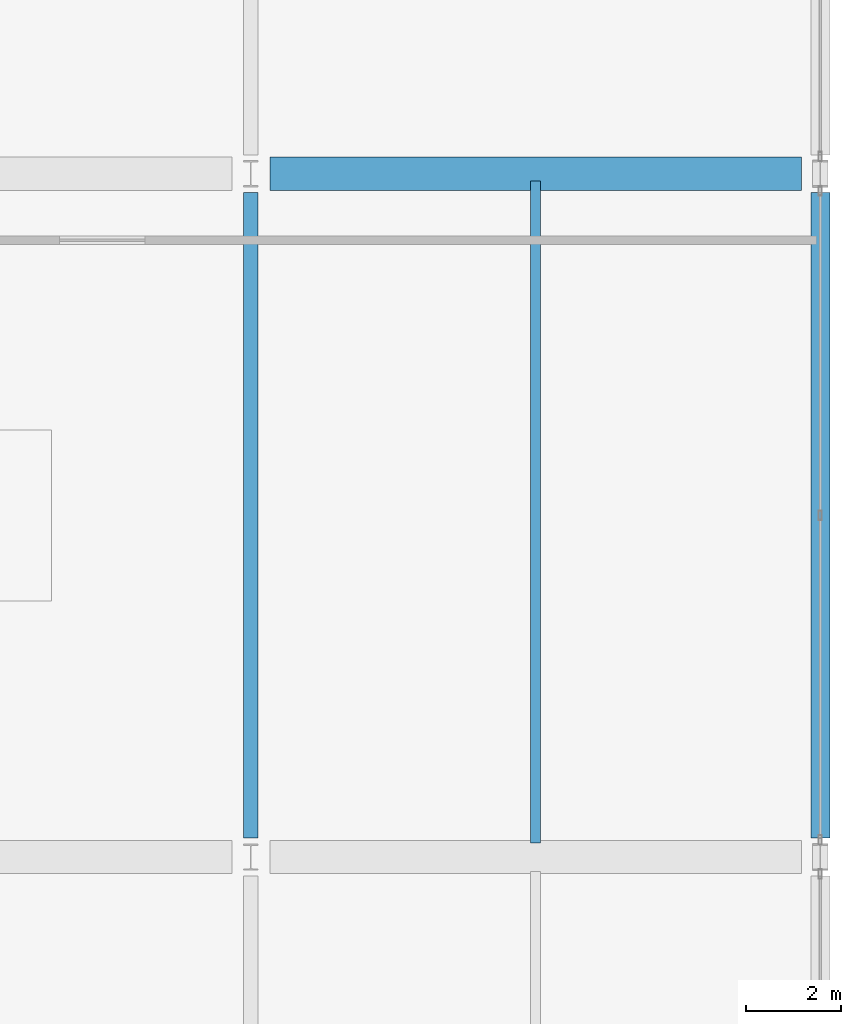
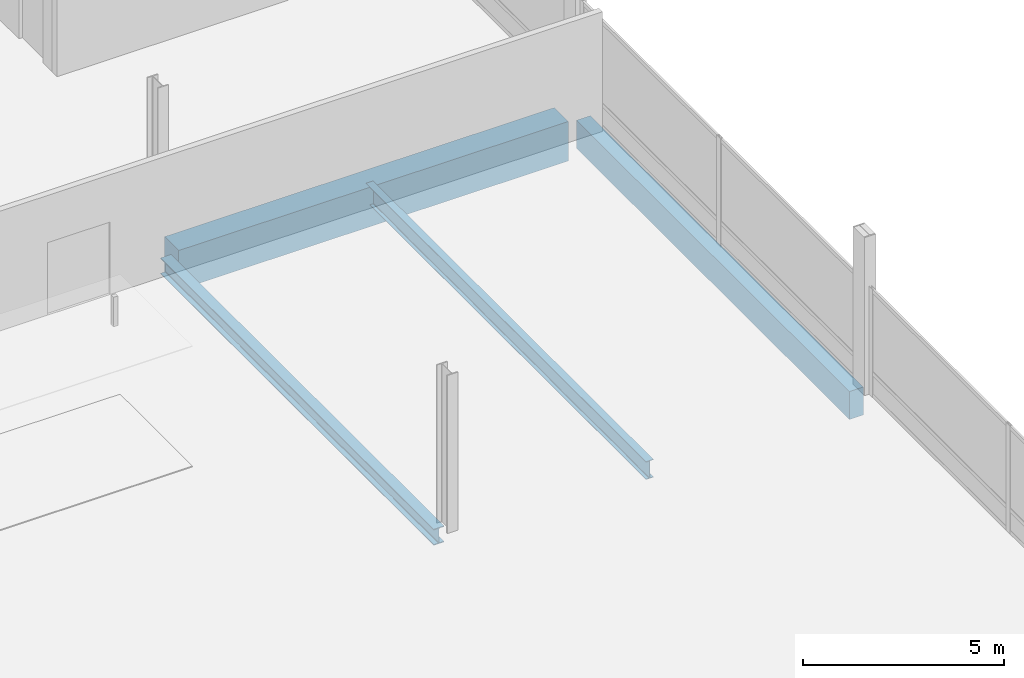
# One storey, part 116 of 220: 4 beams.
"""IFC4 building model written with IfcOpenShell, lengths in metres."""

from ifc_helpers import new_model, si_unit, direction, frame, origin, origin_2d, place, context, subcontext, project, spatial, rectangle, i_section, extrude, material, material_profile, profile_set, type_object, element, save


model = new_model("IFC4")

# Units and contexts
model_context = context("Model", 3, precision=1e-05, world=origin(), true_north=direction((0.0, 1.0)))
body_context = subcontext(model_context, "Body", "Model", "MODEL_VIEW")
ifc_project = project(units=[si_unit("LENGTHUNIT", "METRE"), si_unit("AREAUNIT", "SQUARE_METRE"), si_unit("VOLUMEUNIT", "CUBIC_METRE"), si_unit("PLANEANGLEUNIT", "RADIAN"), si_unit("MASSUNIT", "GRAM", prefix="KILO")], contexts=[model_context])

# Site, building, storey
site_placement = place(None, origin())
site = spatial("IfcSite", under=ifc_project, at=site_placement, CompositionType="ELEMENT")
building_placement = place(site_placement, origin())
building = spatial("IfcBuilding", under=site, at=building_placement, Name="Cendralis Lancet Convention Centre", CompositionType="ELEMENT")
storey_placement = place(building_placement, frame((0.0, 0.0, 5.39990234375)))
storey = spatial("IfcBuildingStorey", under=building, at=storey_placement, Name="L01", CompositionType="ELEMENT", Elevation=5.39990234375)

# Beams
ifc_material_1 = material(Name="Concrete G40 (C40/50)", Category="concrete")
ifc_material_profile_1 = material_profile(ifc_material_1, rectangle(XDim=0.699951171875, YDim=1.199951171875, at=origin_2d()), Name="RCB 700x1200")
ifc_profile_set_1 = profile_set([ifc_material_profile_1], Name="Concrete G40 (C40/50)")
beam_type_1 = type_object("IfcBeamType", Name="STR-BM-BG01", PredefinedType="BEAM", material=ifc_profile_set_1)
beam_1_placement = place(storey_placement, frame((197.199951171875, 122.39990234375, -0.8798828125), z_axis=(1.0, 0.0, 0.0), x_axis=(0.0, 1.0, 0.0)))
element("IfcBeam", 1, at=beam_1_placement, inside=storey, type_object=beam_type_1, Name="L01 Beam BG01 #1656", PredefinedType="BEAM", context=body_context, shape_type="SweptSolid", body=[
    extrude(rectangle(XDim=0.699951171875, YDim=1.199951171875, at=origin_2d()), origin(), (0.0, 0.0, 1.0), 11.199951171875),
])
ifc_material_2 = material(Name="Steel S355", Category="steel")
ifc_material_profile_2 = material_profile(ifc_material_2, i_section(OverallWidth=0.300048828125, OverallDepth=0.489990234375, WebThickness=0.011962890625, FlangeThickness=0.02294921875, FilletRadius=0.027099609375, at=origin_2d()), Name="HEA 500")
ifc_profile_set_2 = profile_set([ifc_material_profile_2], Name="Steel S355")
beam_type_2 = type_object("IfcBeamType", Name="STR-BM-SG12", PredefinedType="BEAM", material=ifc_profile_set_2)
beam_2_placement = place(storey_placement, frame((196.800048828125, 108.39990234375, -0.52490234375), z_axis=(0.0, 1.0, 0.0), x_axis=(-1.0, 0.0, 0.0)))
element("IfcBeam", 2, at=beam_2_placement, inside=storey, type_object=beam_type_2, Name="L01 Beam SG12 #1679", PredefinedType="BEAM", context=body_context, shape_type="SweptSolid", body=[
    extrude(i_section(OverallWidth=0.300048828125, OverallDepth=0.489990234375, WebThickness=0.011962890625, FlangeThickness=0.02294921875, FilletRadius=0.027099609375, at=origin_2d()), origin(), (0.0, 0.0, 1.0), 13.60009765625),
])
ifc_material_profile_3 = material_profile(ifc_material_2, i_section(OverallWidth=0.2099609375, OverallDepth=0.550048828125, WebThickness=0.010986328125, FlangeThickness=0.01708984375, FilletRadius=0.02392578125, at=origin_2d()), Name="IPE 550")
ifc_profile_set_3 = profile_set([ifc_material_profile_3], Name="Steel S355")
beam_type_3 = type_object("IfcBeamType", Name="STR-JS-BJ05", PredefinedType="JOIST", material=ifc_profile_set_3)
beam_3_placement = place(storey_placement, frame((202.800048828125, 108.300048828125, -0.554931640625), z_axis=(0.0, 1.0, 0.0), x_axis=(-1.0, 0.0, 0.0)))
element("IfcBeam", 3, at=beam_3_placement, inside=storey, type_object=beam_type_3, Name="L01 Beam BJ05 #1696", PredefinedType="JOIST", context=body_context, shape_type="SweptSolid", body=[
    extrude(i_section(OverallWidth=0.2099609375, OverallDepth=0.550048828125, WebThickness=0.010986328125, FlangeThickness=0.01708984375, FilletRadius=0.02392578125, at=origin_2d()), origin(), (0.0, 0.0, 1.0), 13.949951171875),
])
ifc_material_profile_4 = material_profile(ifc_material_1, rectangle(XDim=0.39990234375, YDim=0.85009765625, at=origin_2d()), Name="RCB 400x850")
ifc_profile_set_4 = profile_set([ifc_material_profile_4], Name="Concrete G40 (C40/50)")
beam_type_4 = type_object("IfcBeamType", Name="STR-SP-SP02", PredefinedType="SPANDREL", material=ifc_profile_set_4)
beam_4_placement = place(storey_placement, frame((208.800048828125, 108.39990234375, -0.704833984375), z_axis=(0.0, 1.0, 0.0), x_axis=(-1.0, 0.0, 0.0)))
element("IfcBeam", 4, at=beam_4_placement, inside=storey, type_object=beam_type_4, Name="L01 Beam SP02 #1682", PredefinedType="SPANDREL", context=body_context, shape_type="SweptSolid", body=[
    extrude(rectangle(XDim=0.39990234375, YDim=0.85009765625, at=origin_2d()), origin(), (0.0, 0.0, 1.0), 13.60009765625),
])

save(model, "model.ifc")
